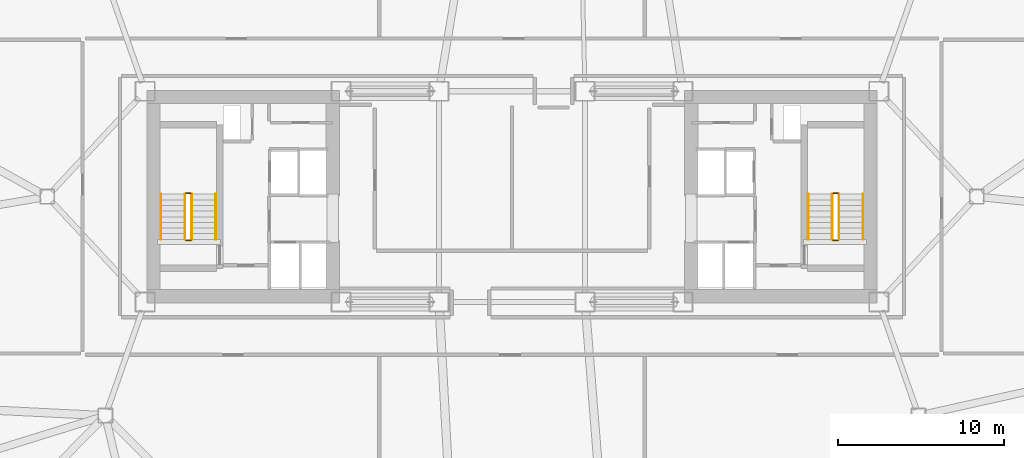
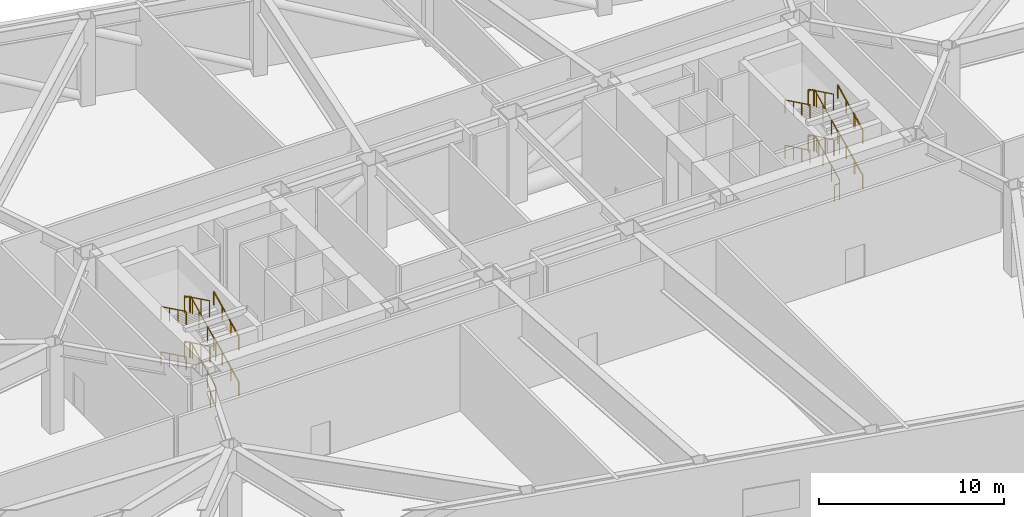
# One storey, part 15 of 15: 24 railings.
"""IFC4 building model written with IfcOpenShell, lengths in metres."""

from ifc_helpers import new_model, si_unit, direction, frame, origin, origin_2d, place, context, subcontext, project, spatial, rectangle, extrude, material, layer, layer_set, type_object, element, save


model = new_model("IFC4")

# Units and contexts
model_context = context("Model", 3, precision=1e-05, world=origin(), true_north=direction((0.0, 1.0)))
body_context = subcontext(model_context, "Body", "Model", "MODEL_VIEW")
ifc_project = project(units=[si_unit("LENGTHUNIT", "METRE"), si_unit("AREAUNIT", "SQUARE_METRE"), si_unit("VOLUMEUNIT", "CUBIC_METRE"), si_unit("PLANEANGLEUNIT", "RADIAN"), si_unit("MASSUNIT", "GRAM", prefix="KILO")], contexts=[model_context])

# Site, building, storey
site_placement = place(None, origin())
site = spatial("IfcSite", under=ifc_project, at=site_placement, CompositionType="ELEMENT")
building_placement = place(site_placement, origin())
building = spatial("IfcBuilding", under=site, at=building_placement, Name="Tavrogorsk Clinical Tower", CompositionType="ELEMENT")
storey_placement = place(building_placement, frame((0.0, 0.0, 33.39990234375)))
storey = spatial("IfcBuildingStorey", under=building, at=storey_placement, Name="L06", CompositionType="ELEMENT", Elevation=33.39990234375)

# Railings
ifc_material_1 = material(Name="Galvanised steel S355 safety stairwell guard", Category="steel")
ifc_layer_1 = layer(ifc_material_1, 0.06005859375)
ifc_layer_set_1 = layer_set([ifc_layer_1], Name="Galvanised steel S355 safety stairwell guard")
railing_type_1 = type_object("IfcRailingType", Name="StairGuard_1150", PredefinedType="GUARDRAIL", material=ifc_layer_set_1)
railing_1_placement = place(storey_placement, frame((-19.300048828125, -2.574951171875, 0.166748046875)))
element("IfcRailing", 1, at=railing_1_placement, inside=storey, type_object=railing_type_1, Name="L06 ST-W stair guard 1", PredefinedType="GUARDRAIL", context=body_context, shape_type="SweptSolid", body=[
    extrude(rectangle(XDim=0.048095703125, YDim=0.048095703125, at=origin_2d()), frame((0.0, 0.0, 1.076171875), z_axis=(0.0, 0.897929466783, 0.4401393787), x_axis=(-1.0, 0.0, 0.0)), (0.0, 0.0, 1.0), 3.029052734375),
    extrude(rectangle(XDim=0.0419921875, YDim=0.0419921875, at=origin_2d()), origin(), (0.0, 0.0, 1.0), 1.052001953125),
    extrude(rectangle(XDim=0.0419921875, YDim=0.0419921875, at=origin_2d()), frame((0.0, 0.90673828125, 0.4443359375)), (0.0, 0.0, 1.0), 1.052001953125),
    extrude(rectangle(XDim=0.0419921875, YDim=0.0419921875, at=origin_2d()), frame((0.0, 1.813232421875, 0.888916015625)), (0.0, 0.0, 1.0), 1.052001953125),
    extrude(rectangle(XDim=0.0419921875, YDim=0.0419921875, at=origin_2d()), frame((0.0, 2.719970703125, 1.333251953125)), (0.0, 0.0, 1.0), 1.052001953125),
])
railing_2_placement = place(storey_placement, frame((-19.35009765625, 0.195068359375, 1.5)))
element("IfcRailing", 2, at=railing_2_placement, inside=storey, type_object=railing_type_1, Name="L06 ST-W stair guard 2", PredefinedType="GUARDRAIL", context=body_context, shape_type="SweptSolid", body=[
    extrude(rectangle(XDim=0.048095703125, YDim=0.048095703125, at=origin_2d()), frame((0.0, 0.0, 1.076171875), z_axis=(-1.0, 0.0, 0.0), x_axis=(0.0, -1.0, 0.0)), (0.0, 0.0, 1.0), 0.2998046875),
    extrude(rectangle(XDim=0.0419921875, YDim=0.0419921875, at=origin_2d()), origin(), (0.0, 0.0, 1.0), 1.052001953125),
    extrude(rectangle(XDim=0.0419921875, YDim=0.0419921875, at=origin_2d()), frame((-0.2998046875, 0.0, 0.0)), (0.0, 0.0, 1.0), 1.052001953125),
])
railing_3_placement = place(storey_placement, frame((-19.699951171875, 0.14501953125, 1.666748046875)))
element("IfcRailing", 3, at=railing_3_placement, inside=storey, type_object=railing_type_1, Name="L06 ST-W stair guard 3", PredefinedType="GUARDRAIL", context=body_context, shape_type="SweptSolid", body=[
    extrude(rectangle(XDim=0.048095703125, YDim=0.048095703125, at=origin_2d()), frame((0.0, 0.0, 1.076171875), z_axis=(0.0, -0.897929466783, 0.4401393787), x_axis=(1.0, 0.0, 0.0)), (0.0, 0.0, 1.0), 3.029052734375),
    extrude(rectangle(XDim=0.0419921875, YDim=0.0419921875, at=origin_2d()), origin(), (0.0, 0.0, 1.0), 1.052001953125),
    extrude(rectangle(XDim=0.0419921875, YDim=0.0419921875, at=origin_2d()), frame((0.0, -0.90673828125, 0.4443359375)), (0.0, 0.0, 1.0), 1.052001953125),
    extrude(rectangle(XDim=0.0419921875, YDim=0.0419921875, at=origin_2d()), frame((0.0, -1.813232421875, 0.888916015625)), (0.0, 0.0, 1.0), 1.052001953125),
    extrude(rectangle(XDim=0.0419921875, YDim=0.0419921875, at=origin_2d()), frame((0.0, -2.719970703125, 1.333251953125)), (0.0, 0.0, 1.0), 1.052001953125),
])
railing_4_placement = place(storey_placement, frame((-19.35009765625, -2.625, 3.0)))
element("IfcRailing", 4, at=railing_4_placement, inside=storey, type_object=railing_type_1, Name="L06 ST-W stair guard 4", PredefinedType="GUARDRAIL", context=body_context, shape_type="SweptSolid", body=[
    extrude(rectangle(XDim=0.048095703125, YDim=0.048095703125, at=origin_2d()), frame((0.0, 0.0, 1.076171875), z_axis=(-1.0, 0.0, 0.0), x_axis=(0.0, -1.0, 0.0)), (0.0, 0.0, 1.0), 0.2998046875),
    extrude(rectangle(XDim=0.0419921875, YDim=0.0419921875, at=origin_2d()), origin(), (0.0, 0.0, 1.0), 1.052001953125),
    extrude(rectangle(XDim=0.0419921875, YDim=0.0419921875, at=origin_2d()), frame((-0.2998046875, 0.0, 0.0)), (0.0, 0.0, 1.0), 1.052001953125),
])
railing_5_placement = place(storey_placement, frame((-19.300048828125, -2.574951171875, 3.166748046875)))
element("IfcRailing", 5, at=railing_5_placement, inside=storey, type_object=railing_type_1, Name="L06 ST-W stair guard 5", PredefinedType="GUARDRAIL", context=body_context, shape_type="SweptSolid", body=[
    extrude(rectangle(XDim=0.048095703125, YDim=0.048095703125, at=origin_2d()), frame((0.0, 0.0, 1.076171875), z_axis=(0.0, 0.897929466783, 0.4401393787), x_axis=(-1.0, 0.0, 0.0)), (0.0, 0.0, 1.0), 3.029052734375),
    extrude(rectangle(XDim=0.0419921875, YDim=0.0419921875, at=origin_2d()), origin(), (0.0, 0.0, 1.0), 1.052001953125),
    extrude(rectangle(XDim=0.0419921875, YDim=0.0419921875, at=origin_2d()), frame((0.0, 0.90673828125, 0.4443359375)), (0.0, 0.0, 1.0), 1.052001953125),
    extrude(rectangle(XDim=0.0419921875, YDim=0.0419921875, at=origin_2d()), frame((0.0, 1.813232421875, 0.888916015625)), (0.0, 0.0, 1.0), 1.052001953125),
    extrude(rectangle(XDim=0.0419921875, YDim=0.0419921875, at=origin_2d()), frame((0.0, 2.719970703125, 1.333251953125)), (0.0, 0.0, 1.0), 1.052001953125),
])
railing_6_placement = place(storey_placement, frame((-19.35009765625, 0.195068359375, 4.5)))
element("IfcRailing", 6, at=railing_6_placement, inside=storey, type_object=railing_type_1, Name="L06 ST-W stair guard 6", PredefinedType="GUARDRAIL", context=body_context, shape_type="SweptSolid", body=[
    extrude(rectangle(XDim=0.048095703125, YDim=0.048095703125, at=origin_2d()), frame((0.0, 0.0, 1.076171875), z_axis=(-1.0, 0.0, 0.0), x_axis=(0.0, -1.0, 0.0)), (0.0, 0.0, 1.0), 0.2998046875),
    extrude(rectangle(XDim=0.0419921875, YDim=0.0419921875, at=origin_2d()), origin(), (0.0, 0.0, 1.0), 1.052001953125),
    extrude(rectangle(XDim=0.0419921875, YDim=0.0419921875, at=origin_2d()), frame((-0.2998046875, 0.0, 0.0)), (0.0, 0.0, 1.0), 1.052001953125),
])
railing_7_placement = place(storey_placement, frame((-19.699951171875, 0.14501953125, 4.666748046875)))
element("IfcRailing", 7, at=railing_7_placement, inside=storey, type_object=railing_type_1, Name="L06 ST-W stair guard 7", PredefinedType="GUARDRAIL", context=body_context, shape_type="SweptSolid", body=[
    extrude(rectangle(XDim=0.048095703125, YDim=0.048095703125, at=origin_2d()), frame((0.0, 0.0, 1.076171875), z_axis=(0.0, -0.897929466783, 0.4401393787), x_axis=(1.0, 0.0, 0.0)), (0.0, 0.0, 1.0), 3.029052734375),
    extrude(rectangle(XDim=0.0419921875, YDim=0.0419921875, at=origin_2d()), origin(), (0.0, 0.0, 1.0), 1.052001953125),
    extrude(rectangle(XDim=0.0419921875, YDim=0.0419921875, at=origin_2d()), frame((0.0, -0.90673828125, 0.4443359375)), (0.0, 0.0, 1.0), 1.052001953125),
    extrude(rectangle(XDim=0.0419921875, YDim=0.0419921875, at=origin_2d()), frame((0.0, -1.813232421875, 0.888916015625)), (0.0, 0.0, 1.0), 1.052001953125),
    extrude(rectangle(XDim=0.0419921875, YDim=0.0419921875, at=origin_2d()), frame((0.0, -2.719970703125, 1.333251953125)), (0.0, 0.0, 1.0), 1.052001953125),
])
railing_8_placement = place(storey_placement, frame((-19.35009765625, -2.625, 0.0)))
element("IfcRailing", 8, at=railing_8_placement, inside=storey, type_object=railing_type_1, Name="L06 ST-W stair guard 8", PredefinedType="GUARDRAIL", context=body_context, shape_type="SweptSolid", body=[
    extrude(rectangle(XDim=0.048095703125, YDim=0.048095703125, at=origin_2d()), frame((0.0, 0.0, 1.076171875), z_axis=(-1.0, 0.0, 0.0), x_axis=(0.0, -1.0, 0.0)), (0.0, 0.0, 1.0), 0.2998046875),
    extrude(rectangle(XDim=0.0419921875, YDim=0.0419921875, at=origin_2d()), origin(), (0.0, 0.0, 1.0), 1.052001953125),
    extrude(rectangle(XDim=0.0419921875, YDim=0.0419921875, at=origin_2d()), frame((-0.2998046875, 0.0, 0.0)), (0.0, 0.0, 1.0), 1.052001953125),
])
railing_9_placement = place(storey_placement, frame((19.699951171875, -2.574951171875, 0.166748046875)))
element("IfcRailing", 9, at=railing_9_placement, inside=storey, type_object=railing_type_1, Name="L06 ST-E stair guard 1", PredefinedType="GUARDRAIL", context=body_context, shape_type="SweptSolid", body=[
    extrude(rectangle(XDim=0.048095703125, YDim=0.048095703125, at=origin_2d()), frame((0.0, 0.0, 1.076171875), z_axis=(0.0, 0.897929466783, 0.4401393787), x_axis=(-1.0, 0.0, 0.0)), (0.0, 0.0, 1.0), 3.029052734375),
    extrude(rectangle(XDim=0.0419921875, YDim=0.0419921875, at=origin_2d()), origin(), (0.0, 0.0, 1.0), 1.052001953125),
    extrude(rectangle(XDim=0.0419921875, YDim=0.0419921875, at=origin_2d()), frame((0.0, 0.90673828125, 0.4443359375)), (0.0, 0.0, 1.0), 1.052001953125),
    extrude(rectangle(XDim=0.0419921875, YDim=0.0419921875, at=origin_2d()), frame((0.0, 1.813232421875, 0.888916015625)), (0.0, 0.0, 1.0), 1.052001953125),
    extrude(rectangle(XDim=0.0419921875, YDim=0.0419921875, at=origin_2d()), frame((0.0, 2.719970703125, 1.333251953125)), (0.0, 0.0, 1.0), 1.052001953125),
])
railing_10_placement = place(storey_placement, frame((19.64990234375, 0.195068359375, 1.5)))
element("IfcRailing", 10, at=railing_10_placement, inside=storey, type_object=railing_type_1, Name="L06 ST-E stair guard 2", PredefinedType="GUARDRAIL", context=body_context, shape_type="SweptSolid", body=[
    extrude(rectangle(XDim=0.048095703125, YDim=0.048095703125, at=origin_2d()), frame((0.0, 0.0, 1.076171875), z_axis=(-1.0, 0.0, 0.0), x_axis=(0.0, -1.0, 0.0)), (0.0, 0.0, 1.0), 0.2998046875),
    extrude(rectangle(XDim=0.0419921875, YDim=0.0419921875, at=origin_2d()), origin(), (0.0, 0.0, 1.0), 1.052001953125),
    extrude(rectangle(XDim=0.0419921875, YDim=0.0419921875, at=origin_2d()), frame((-0.2998046875, 0.0, 0.0)), (0.0, 0.0, 1.0), 1.052001953125),
])
railing_11_placement = place(storey_placement, frame((19.300048828125, 0.14501953125, 1.666748046875)))
element("IfcRailing", 11, at=railing_11_placement, inside=storey, type_object=railing_type_1, Name="L06 ST-E stair guard 3", PredefinedType="GUARDRAIL", context=body_context, shape_type="SweptSolid", body=[
    extrude(rectangle(XDim=0.048095703125, YDim=0.048095703125, at=origin_2d()), frame((0.0, 0.0, 1.076171875), z_axis=(0.0, -0.897929466783, 0.4401393787), x_axis=(1.0, 0.0, 0.0)), (0.0, 0.0, 1.0), 3.029052734375),
    extrude(rectangle(XDim=0.0419921875, YDim=0.0419921875, at=origin_2d()), origin(), (0.0, 0.0, 1.0), 1.052001953125),
    extrude(rectangle(XDim=0.0419921875, YDim=0.0419921875, at=origin_2d()), frame((0.0, -0.90673828125, 0.4443359375)), (0.0, 0.0, 1.0), 1.052001953125),
    extrude(rectangle(XDim=0.0419921875, YDim=0.0419921875, at=origin_2d()), frame((0.0, -1.813232421875, 0.888916015625)), (0.0, 0.0, 1.0), 1.052001953125),
    extrude(rectangle(XDim=0.0419921875, YDim=0.0419921875, at=origin_2d()), frame((0.0, -2.719970703125, 1.333251953125)), (0.0, 0.0, 1.0), 1.052001953125),
])
railing_12_placement = place(storey_placement, frame((19.64990234375, -2.625, 3.0)))
element("IfcRailing", 12, at=railing_12_placement, inside=storey, type_object=railing_type_1, Name="L06 ST-E stair guard 4", PredefinedType="GUARDRAIL", context=body_context, shape_type="SweptSolid", body=[
    extrude(rectangle(XDim=0.048095703125, YDim=0.048095703125, at=origin_2d()), frame((0.0, 0.0, 1.076171875), z_axis=(-1.0, 0.0, 0.0), x_axis=(0.0, -1.0, 0.0)), (0.0, 0.0, 1.0), 0.2998046875),
    extrude(rectangle(XDim=0.0419921875, YDim=0.0419921875, at=origin_2d()), origin(), (0.0, 0.0, 1.0), 1.052001953125),
    extrude(rectangle(XDim=0.0419921875, YDim=0.0419921875, at=origin_2d()), frame((-0.2998046875, 0.0, 0.0)), (0.0, 0.0, 1.0), 1.052001953125),
])
railing_13_placement = place(storey_placement, frame((19.699951171875, -2.574951171875, 3.166748046875)))
element("IfcRailing", 13, at=railing_13_placement, inside=storey, type_object=railing_type_1, Name="L06 ST-E stair guard 5", PredefinedType="GUARDRAIL", context=body_context, shape_type="SweptSolid", body=[
    extrude(rectangle(XDim=0.048095703125, YDim=0.048095703125, at=origin_2d()), frame((0.0, 0.0, 1.076171875), z_axis=(0.0, 0.897929466783, 0.4401393787), x_axis=(-1.0, 0.0, 0.0)), (0.0, 0.0, 1.0), 3.029052734375),
    extrude(rectangle(XDim=0.0419921875, YDim=0.0419921875, at=origin_2d()), origin(), (0.0, 0.0, 1.0), 1.052001953125),
    extrude(rectangle(XDim=0.0419921875, YDim=0.0419921875, at=origin_2d()), frame((0.0, 0.90673828125, 0.4443359375)), (0.0, 0.0, 1.0), 1.052001953125),
    extrude(rectangle(XDim=0.0419921875, YDim=0.0419921875, at=origin_2d()), frame((0.0, 1.813232421875, 0.888916015625)), (0.0, 0.0, 1.0), 1.052001953125),
    extrude(rectangle(XDim=0.0419921875, YDim=0.0419921875, at=origin_2d()), frame((0.0, 2.719970703125, 1.333251953125)), (0.0, 0.0, 1.0), 1.052001953125),
])
railing_14_placement = place(storey_placement, frame((19.64990234375, 0.195068359375, 4.5)))
element("IfcRailing", 14, at=railing_14_placement, inside=storey, type_object=railing_type_1, Name="L06 ST-E stair guard 6", PredefinedType="GUARDRAIL", context=body_context, shape_type="SweptSolid", body=[
    extrude(rectangle(XDim=0.048095703125, YDim=0.048095703125, at=origin_2d()), frame((0.0, 0.0, 1.076171875), z_axis=(-1.0, 0.0, 0.0), x_axis=(0.0, -1.0, 0.0)), (0.0, 0.0, 1.0), 0.2998046875),
    extrude(rectangle(XDim=0.0419921875, YDim=0.0419921875, at=origin_2d()), origin(), (0.0, 0.0, 1.0), 1.052001953125),
    extrude(rectangle(XDim=0.0419921875, YDim=0.0419921875, at=origin_2d()), frame((-0.2998046875, 0.0, 0.0)), (0.0, 0.0, 1.0), 1.052001953125),
])
railing_15_placement = place(storey_placement, frame((19.300048828125, 0.14501953125, 4.666748046875)))
element("IfcRailing", 15, at=railing_15_placement, inside=storey, type_object=railing_type_1, Name="L06 ST-E stair guard 7", PredefinedType="GUARDRAIL", context=body_context, shape_type="SweptSolid", body=[
    extrude(rectangle(XDim=0.048095703125, YDim=0.048095703125, at=origin_2d()), frame((0.0, 0.0, 1.076171875), z_axis=(0.0, -0.897929466783, 0.4401393787), x_axis=(1.0, 0.0, 0.0)), (0.0, 0.0, 1.0), 3.029052734375),
    extrude(rectangle(XDim=0.0419921875, YDim=0.0419921875, at=origin_2d()), origin(), (0.0, 0.0, 1.0), 1.052001953125),
    extrude(rectangle(XDim=0.0419921875, YDim=0.0419921875, at=origin_2d()), frame((0.0, -0.90673828125, 0.4443359375)), (0.0, 0.0, 1.0), 1.052001953125),
    extrude(rectangle(XDim=0.0419921875, YDim=0.0419921875, at=origin_2d()), frame((0.0, -1.813232421875, 0.888916015625)), (0.0, 0.0, 1.0), 1.052001953125),
    extrude(rectangle(XDim=0.0419921875, YDim=0.0419921875, at=origin_2d()), frame((0.0, -2.719970703125, 1.333251953125)), (0.0, 0.0, 1.0), 1.052001953125),
])
railing_16_placement = place(storey_placement, frame((19.64990234375, -2.625, 0.0)))
element("IfcRailing", 16, at=railing_16_placement, inside=storey, type_object=railing_type_1, Name="L06 ST-E stair guard 8", PredefinedType="GUARDRAIL", context=body_context, shape_type="SweptSolid", body=[
    extrude(rectangle(XDim=0.048095703125, YDim=0.048095703125, at=origin_2d()), frame((0.0, 0.0, 1.076171875), z_axis=(-1.0, 0.0, 0.0), x_axis=(0.0, -1.0, 0.0)), (0.0, 0.0, 1.0), 0.2998046875),
    extrude(rectangle(XDim=0.0419921875, YDim=0.0419921875, at=origin_2d()), origin(), (0.0, 0.0, 1.0), 1.052001953125),
    extrude(rectangle(XDim=0.0419921875, YDim=0.0419921875, at=origin_2d()), frame((-0.2998046875, 0.0, 0.0)), (0.0, 0.0, 1.0), 1.052001953125),
])
ifc_material_2 = material(Name="Stainless steel AISI 304 tubular handrail", Category="steel")
ifc_layer_2 = layer(ifc_material_2, 0.050048828125)
ifc_layer_set_2 = layer_set([ifc_layer_2], Name="Stainless steel AISI 304 tubular handrail")
railing_type_2 = type_object("IfcRailingType", Name="StairHandrail_920", PredefinedType="HANDRAIL", material=ifc_layer_set_2)
railing_17_placement = place(storey_placement, frame((-17.85009765625, -2.574951171875, 0.166748046875)))
element("IfcRailing", 17, at=railing_17_placement, inside=storey, type_object=railing_type_2, Name="L06 ST-W stair handrail 1", PredefinedType="HANDRAIL", context=body_context, shape_type="SweptSolid", body=[
    extrude(rectangle(XDim=0.048095703125, YDim=0.048095703125, at=origin_2d()), frame((0.0, 0.0, 0.8759765625), z_axis=(0.0, 0.897929466783, 0.4401393787), x_axis=(-1.0, 0.0, 0.0)), (0.0, 0.0, 1.0), 3.029052734375),
    extrude(rectangle(XDim=0.0419921875, YDim=0.0419921875, at=origin_2d()), origin(), (0.0, 0.0, 1.0), 0.851806640625),
    extrude(rectangle(XDim=0.0419921875, YDim=0.0419921875, at=origin_2d()), frame((0.0, 0.90673828125, 0.4443359375)), (0.0, 0.0, 1.0), 0.851806640625),
    extrude(rectangle(XDim=0.0419921875, YDim=0.0419921875, at=origin_2d()), frame((0.0, 1.813232421875, 0.888916015625)), (0.0, 0.0, 1.0), 0.851806640625),
    extrude(rectangle(XDim=0.0419921875, YDim=0.0419921875, at=origin_2d()), frame((0.0, 2.719970703125, 1.333251953125)), (0.0, 0.0, 1.0), 0.851806640625),
])
railing_18_placement = place(storey_placement, frame((-21.14990234375, 0.14501953125, 1.666748046875)))
element("IfcRailing", 18, at=railing_18_placement, inside=storey, type_object=railing_type_2, Name="L06 ST-W stair handrail 2", PredefinedType="HANDRAIL", context=body_context, shape_type="SweptSolid", body=[
    extrude(rectangle(XDim=0.048095703125, YDim=0.048095703125, at=origin_2d()), frame((0.0, 0.0, 0.8759765625), z_axis=(0.0, -0.897929466783, 0.4401393787), x_axis=(1.0, 0.0, 0.0)), (0.0, 0.0, 1.0), 3.029052734375),
    extrude(rectangle(XDim=0.0419921875, YDim=0.0419921875, at=origin_2d()), origin(), (0.0, 0.0, 1.0), 0.851806640625),
    extrude(rectangle(XDim=0.0419921875, YDim=0.0419921875, at=origin_2d()), frame((0.0, -0.90673828125, 0.4443359375)), (0.0, 0.0, 1.0), 0.851806640625),
    extrude(rectangle(XDim=0.0419921875, YDim=0.0419921875, at=origin_2d()), frame((0.0, -1.813232421875, 0.888916015625)), (0.0, 0.0, 1.0), 0.851806640625),
    extrude(rectangle(XDim=0.0419921875, YDim=0.0419921875, at=origin_2d()), frame((0.0, -2.719970703125, 1.333251953125)), (0.0, 0.0, 1.0), 0.851806640625),
])
railing_19_placement = place(storey_placement, frame((-17.85009765625, -2.574951171875, 3.166748046875)))
element("IfcRailing", 19, at=railing_19_placement, inside=storey, type_object=railing_type_2, Name="L06 ST-W stair handrail 3", PredefinedType="HANDRAIL", context=body_context, shape_type="SweptSolid", body=[
    extrude(rectangle(XDim=0.048095703125, YDim=0.048095703125, at=origin_2d()), frame((0.0, 0.0, 0.8759765625), z_axis=(0.0, 0.897929466783, 0.4401393787), x_axis=(-1.0, 0.0, 0.0)), (0.0, 0.0, 1.0), 3.029052734375),
    extrude(rectangle(XDim=0.0419921875, YDim=0.0419921875, at=origin_2d()), origin(), (0.0, 0.0, 1.0), 0.851806640625),
    extrude(rectangle(XDim=0.0419921875, YDim=0.0419921875, at=origin_2d()), frame((0.0, 0.90673828125, 0.4443359375)), (0.0, 0.0, 1.0), 0.851806640625),
    extrude(rectangle(XDim=0.0419921875, YDim=0.0419921875, at=origin_2d()), frame((0.0, 1.813232421875, 0.888916015625)), (0.0, 0.0, 1.0), 0.851806640625),
    extrude(rectangle(XDim=0.0419921875, YDim=0.0419921875, at=origin_2d()), frame((0.0, 2.719970703125, 1.333251953125)), (0.0, 0.0, 1.0), 0.851806640625),
])
railing_20_placement = place(storey_placement, frame((-21.14990234375, 0.14501953125, 4.666748046875)))
element("IfcRailing", 20, at=railing_20_placement, inside=storey, type_object=railing_type_2, Name="L06 ST-W stair handrail 4", PredefinedType="HANDRAIL", context=body_context, shape_type="SweptSolid", body=[
    extrude(rectangle(XDim=0.048095703125, YDim=0.048095703125, at=origin_2d()), frame((0.0, 0.0, 0.8759765625), z_axis=(0.0, -0.897929466783, 0.4401393787), x_axis=(1.0, 0.0, 0.0)), (0.0, 0.0, 1.0), 3.029052734375),
    extrude(rectangle(XDim=0.0419921875, YDim=0.0419921875, at=origin_2d()), origin(), (0.0, 0.0, 1.0), 0.851806640625),
    extrude(rectangle(XDim=0.0419921875, YDim=0.0419921875, at=origin_2d()), frame((0.0, -0.90673828125, 0.4443359375)), (0.0, 0.0, 1.0), 0.851806640625),
    extrude(rectangle(XDim=0.0419921875, YDim=0.0419921875, at=origin_2d()), frame((0.0, -1.813232421875, 0.888916015625)), (0.0, 0.0, 1.0), 0.851806640625),
    extrude(rectangle(XDim=0.0419921875, YDim=0.0419921875, at=origin_2d()), frame((0.0, -2.719970703125, 1.333251953125)), (0.0, 0.0, 1.0), 0.851806640625),
])
railing_21_placement = place(storey_placement, frame((21.14990234375, -2.574951171875, 0.166748046875)))
element("IfcRailing", 21, at=railing_21_placement, inside=storey, type_object=railing_type_2, Name="L06 ST-E stair handrail 1", PredefinedType="HANDRAIL", context=body_context, shape_type="SweptSolid", body=[
    extrude(rectangle(XDim=0.048095703125, YDim=0.048095703125, at=origin_2d()), frame((0.0, 0.0, 0.8759765625), z_axis=(0.0, 0.897929466783, 0.4401393787), x_axis=(-1.0, 0.0, 0.0)), (0.0, 0.0, 1.0), 3.029052734375),
    extrude(rectangle(XDim=0.0419921875, YDim=0.0419921875, at=origin_2d()), origin(), (0.0, 0.0, 1.0), 0.851806640625),
    extrude(rectangle(XDim=0.0419921875, YDim=0.0419921875, at=origin_2d()), frame((0.0, 0.90673828125, 0.4443359375)), (0.0, 0.0, 1.0), 0.851806640625),
    extrude(rectangle(XDim=0.0419921875, YDim=0.0419921875, at=origin_2d()), frame((0.0, 1.813232421875, 0.888916015625)), (0.0, 0.0, 1.0), 0.851806640625),
    extrude(rectangle(XDim=0.0419921875, YDim=0.0419921875, at=origin_2d()), frame((0.0, 2.719970703125, 1.333251953125)), (0.0, 0.0, 1.0), 0.851806640625),
])
railing_22_placement = place(storey_placement, frame((17.85009765625, 0.14501953125, 1.666748046875)))
element("IfcRailing", 22, at=railing_22_placement, inside=storey, type_object=railing_type_2, Name="L06 ST-E stair handrail 2", PredefinedType="HANDRAIL", context=body_context, shape_type="SweptSolid", body=[
    extrude(rectangle(XDim=0.048095703125, YDim=0.048095703125, at=origin_2d()), frame((0.0, 0.0, 0.8759765625), z_axis=(0.0, -0.897929466783, 0.4401393787), x_axis=(1.0, 0.0, 0.0)), (0.0, 0.0, 1.0), 3.029052734375),
    extrude(rectangle(XDim=0.0419921875, YDim=0.0419921875, at=origin_2d()), origin(), (0.0, 0.0, 1.0), 0.851806640625),
    extrude(rectangle(XDim=0.0419921875, YDim=0.0419921875, at=origin_2d()), frame((0.0, -0.90673828125, 0.4443359375)), (0.0, 0.0, 1.0), 0.851806640625),
    extrude(rectangle(XDim=0.0419921875, YDim=0.0419921875, at=origin_2d()), frame((0.0, -1.813232421875, 0.888916015625)), (0.0, 0.0, 1.0), 0.851806640625),
    extrude(rectangle(XDim=0.0419921875, YDim=0.0419921875, at=origin_2d()), frame((0.0, -2.719970703125, 1.333251953125)), (0.0, 0.0, 1.0), 0.851806640625),
])
railing_23_placement = place(storey_placement, frame((21.14990234375, -2.574951171875, 3.166748046875)))
element("IfcRailing", 23, at=railing_23_placement, inside=storey, type_object=railing_type_2, Name="L06 ST-E stair handrail 3", PredefinedType="HANDRAIL", context=body_context, shape_type="SweptSolid", body=[
    extrude(rectangle(XDim=0.048095703125, YDim=0.048095703125, at=origin_2d()), frame((0.0, 0.0, 0.8759765625), z_axis=(0.0, 0.897929466783, 0.4401393787), x_axis=(-1.0, 0.0, 0.0)), (0.0, 0.0, 1.0), 3.029052734375),
    extrude(rectangle(XDim=0.0419921875, YDim=0.0419921875, at=origin_2d()), origin(), (0.0, 0.0, 1.0), 0.851806640625),
    extrude(rectangle(XDim=0.0419921875, YDim=0.0419921875, at=origin_2d()), frame((0.0, 0.90673828125, 0.4443359375)), (0.0, 0.0, 1.0), 0.851806640625),
    extrude(rectangle(XDim=0.0419921875, YDim=0.0419921875, at=origin_2d()), frame((0.0, 1.813232421875, 0.888916015625)), (0.0, 0.0, 1.0), 0.851806640625),
    extrude(rectangle(XDim=0.0419921875, YDim=0.0419921875, at=origin_2d()), frame((0.0, 2.719970703125, 1.333251953125)), (0.0, 0.0, 1.0), 0.851806640625),
])
railing_24_placement = place(storey_placement, frame((17.85009765625, 0.14501953125, 4.666748046875)))
element("IfcRailing", 24, at=railing_24_placement, inside=storey, type_object=railing_type_2, Name="L06 ST-E stair handrail 4", PredefinedType="HANDRAIL", context=body_context, shape_type="SweptSolid", body=[
    extrude(rectangle(XDim=0.048095703125, YDim=0.048095703125, at=origin_2d()), frame((0.0, 0.0, 0.8759765625), z_axis=(0.0, -0.897929466783, 0.4401393787), x_axis=(1.0, 0.0, 0.0)), (0.0, 0.0, 1.0), 3.029052734375),
    extrude(rectangle(XDim=0.0419921875, YDim=0.0419921875, at=origin_2d()), origin(), (0.0, 0.0, 1.0), 0.851806640625),
    extrude(rectangle(XDim=0.0419921875, YDim=0.0419921875, at=origin_2d()), frame((0.0, -0.90673828125, 0.4443359375)), (0.0, 0.0, 1.0), 0.851806640625),
    extrude(rectangle(XDim=0.0419921875, YDim=0.0419921875, at=origin_2d()), frame((0.0, -1.813232421875, 0.888916015625)), (0.0, 0.0, 1.0), 0.851806640625),
    extrude(rectangle(XDim=0.0419921875, YDim=0.0419921875, at=origin_2d()), frame((0.0, -2.719970703125, 1.333251953125)), (0.0, 0.0, 1.0), 0.851806640625),
])

save(model, "model.ifc")
